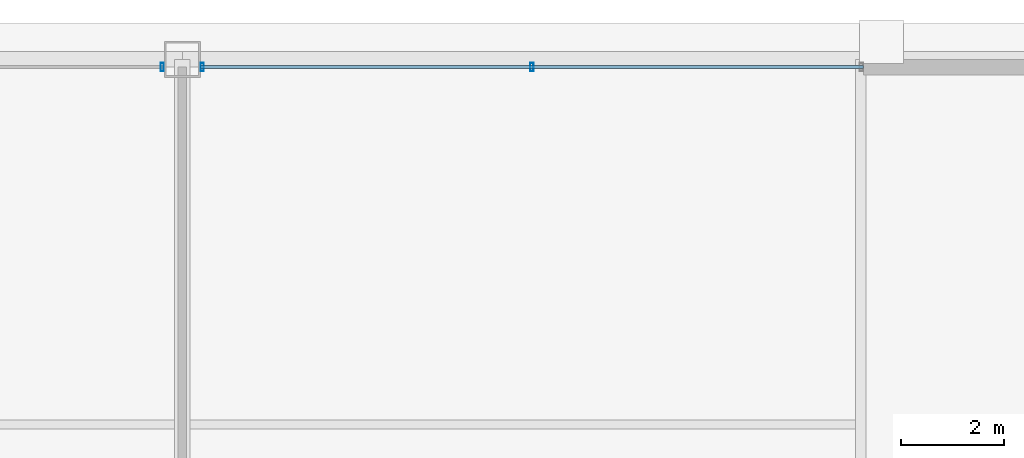
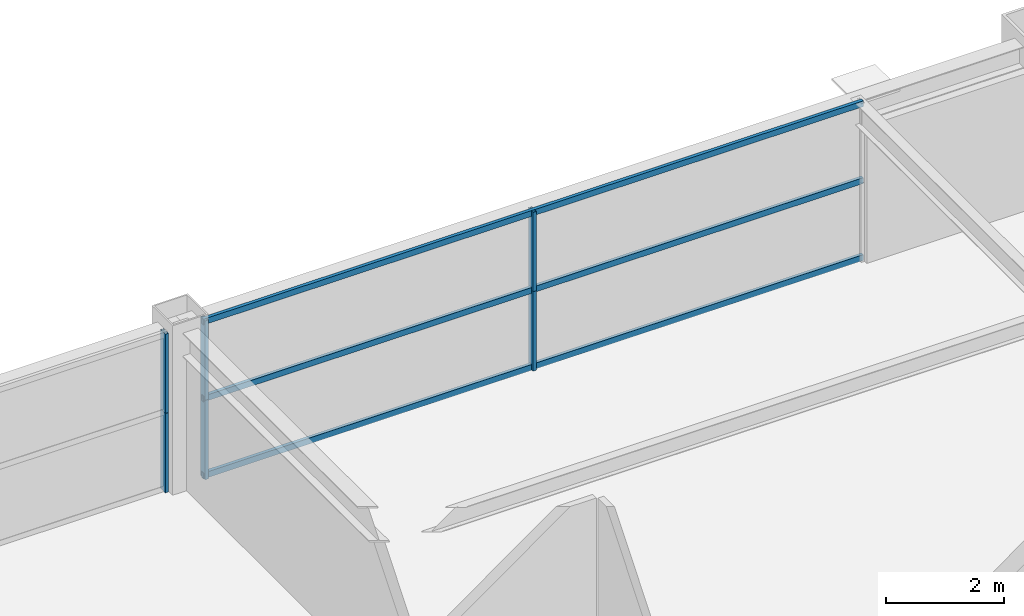
# One storey, part 29 of 37: 9 members, 2 elements without a shape of their own.
"""IFC4 building model written with IfcOpenShell, lengths in metres."""

import ifcopenshell
import ifcopenshell.guid

model = None  # the IFC model being written
_history = None  # IfcOwnerHistory: only IFC2X3 demands one
_inside = {}  # id of a spatial element -> (the spatial element, [elements in it])
_under = {}  # id of a project, library or spatial element -> (it, [spatial elements below it])
_declared = {}  # id of a project -> (the project, [libraries it declares])
_typed = {}  # id of a type object -> (the type object, [elements of that type])
_made_of = {}  # id of a material, layer set ... -> (it, [elements and type objects made of it])


def new_model(schema):
    """Start an empty IFC model of exactly this schema.

    Asked for "IFC4X3", IfcOpenShell would pick the latest addendum, in which some entities
    have other attributes; the version numbers below select the first issue.
    IFC2X3 requires an IfcOwnerHistory on every rooted entity: one is made here for all.
    """
    global model, _history
    if schema == "IFC4X3":
        model = ifcopenshell.file(schema_version=(4, 3, 0, 0))
    else:
        model = ifcopenshell.file(schema=schema)
    _inside.clear()
    _under.clear()
    _declared.clear()
    _typed.clear()
    _made_of.clear()
    _history = None
    if model.schema == "IFC2X3":
        org = make("IfcOrganization", Name="unknown")
        user = make(
            "IfcPersonAndOrganization",
            ThePerson=make("IfcPerson", FamilyName="unknown"),
            TheOrganization=org,
        )
        app = make(
            "IfcApplication",
            ApplicationDeveloper=org,
            Version="unknown",
            ApplicationFullName="unknown",
            ApplicationIdentifier="unknown",
        )
        _history = make(
            "IfcOwnerHistory",
            OwningUser=user,
            OwningApplication=app,
            ChangeAction="ADDED",
            CreationDate=0,
        )
    return model


def make(cls, **values):
    """One entity of the class cls with the attributes given. An attribute that is None is left unset."""
    return model.create_entity(
        cls, **{name: value for name, value in values.items() if value is not None}
    )


def rooted(cls, **values):
    """An entity with a GlobalId (a new one), such as an element, a storey or a relation."""
    return make(cls, GlobalId=ifcopenshell.guid.new(), OwnerHistory=_history, **values)


def si_unit(unit_type, name, prefix=None):
    """IfcSIUnit, for example si_unit("LENGTHUNIT", "METRE", prefix="MILLI")."""
    return make("IfcSIUnit", UnitType=unit_type, Prefix=prefix, Name=name)


def assignment(units):
    """IfcUnitAssignment: the units of a project."""
    return None if units is None else make("IfcUnitAssignment", Units=units)


def point(xyz):
    """IfcCartesianPoint."""
    return None if xyz is None else make("IfcCartesianPoint", Coordinates=xyz)


def direction(xyz):
    """IfcDirection."""
    return None if xyz is None else make("IfcDirection", DirectionRatios=xyz)


def frame(location, z_axis=None, x_axis=None):
    """IfcAxis2Placement3D, a coordinate frame: its origin and axes. An axis left out is left unset."""
    return make(
        "IfcAxis2Placement3D",
        Location=point(location),
        Axis=direction(z_axis),
        RefDirection=direction(x_axis),
    )


def frame_2d(location, x_axis=None):
    """IfcAxis2Placement2D, a coordinate frame in the plane: its origin and x axis."""
    return make(
        "IfcAxis2Placement2D", Location=point(location), RefDirection=direction(x_axis)
    )


def origin():
    """The frame at (0, 0, 0) with its axes left unset."""
    return frame((0.0, 0.0, 0.0))


def origin_2d():
    """The frame at (0, 0) in the plane with its x axis left unset."""
    return frame_2d((0.0, 0.0))


def place(relative_to, where):
    """IfcLocalPlacement: puts the frame where relative to a parent placement (None: the world)."""
    return make(
        "IfcLocalPlacement", PlacementRelTo=relative_to, RelativePlacement=where
    )


def context(
    kind, dimensions, precision=None, world=None, true_north=None, identifier=None
):
    """IfcGeometricRepresentationContext, for example the 3D "Model" context."""
    return make(
        "IfcGeometricRepresentationContext",
        ContextIdentifier=identifier,
        ContextType=kind,
        CoordinateSpaceDimension=dimensions,
        Precision=precision,
        WorldCoordinateSystem=world,
        TrueNorth=true_north,
    )


def subcontext(parent, identifier, kind, view, scale=None):
    """IfcGeometricRepresentationSubContext, for example "Body" below "Model"."""
    return make(
        "IfcGeometricRepresentationSubContext",
        ContextIdentifier=identifier,
        ContextType=kind,
        ParentContext=parent,
        TargetScale=scale,
        TargetView=view,
    )


def project(units=None, contexts=None):
    """IfcProject with its units and contexts."""
    return rooted(
        "IfcProject",
        Name="project",
        RepresentationContexts=contexts,
        UnitsInContext=assignment(units),
    )


def spatial(cls, under=None, at=None, **own):
    """A site, building, storey or space (cls), placed at a placement, below another one or the project."""
    s = rooted(cls, ObjectPlacement=at, **own)
    if under is not None:
        _under.setdefault(under.id(), (under, []))[1].append(s)
    return s


def profile(cls, at=None, kind="AREA", **sizes):
    """A parametric profile (cls). Its sizes go by their IFC names, for example OverallWidth=200.0."""
    return make(cls, ProfileType=kind, Position=at, **sizes)


def hollow_rectangle(**sizes):
    """IfcRectangleHollowProfileDef."""
    return profile("IfcRectangleHollowProfileDef", **sizes)


def extrude(swept, where, along, depth):
    """IfcExtrudedAreaSolid: the profile swept, set in the frame where, extruded along a direction by depth."""
    return make(
        "IfcExtrudedAreaSolid",
        SweptArea=swept,
        Position=where,
        ExtrudedDirection=direction(along),
        Depth=depth,
    )


def shape(context_of_items, identifier, shape_type, items):
    """IfcShapeRepresentation: the items that make up one representation, for example the "Body"."""
    return make(
        "IfcShapeRepresentation",
        ContextOfItems=context_of_items,
        RepresentationIdentifier=identifier,
        RepresentationType=shape_type,
        Items=items,
    )


def source(mapping_origin, context_of_items, identifier, shape_type, items):
    """IfcRepresentationMap: a shape defined once, which mapped items show again and again."""
    return make(
        "IfcRepresentationMap",
        MappingOrigin=mapping_origin,
        MappedRepresentation=shape(context_of_items, identifier, shape_type, items),
    )


def transform(
    local_origin,
    x_axis=None,
    y_axis=None,
    z_axis=None,
    scale=None,
    scale2=None,
    scale3=None,
    uniform=True,
):
    """IfcCartesianTransformationOperator3D, or its non-uniform kind. x_axis, y_axis, z_axis: its Axis1, 2, 3."""
    if uniform:
        return make(
            "IfcCartesianTransformationOperator3D",
            Axis1=direction(x_axis),
            Axis2=direction(y_axis),
            LocalOrigin=point(local_origin),
            Scale=scale,
            Axis3=direction(z_axis),
        )
    return make(
        "IfcCartesianTransformationOperator3DnonUniform",
        Axis1=direction(x_axis),
        Axis2=direction(y_axis),
        LocalOrigin=point(local_origin),
        Scale=scale,
        Axis3=direction(z_axis),
        Scale2=scale2,
        Scale3=scale3,
    )


def mapped(mapping_source, mapping_target):
    """IfcMappedItem: shows the shape of a source again, moved by a transform."""
    return make(
        "IfcMappedItem", MappingSource=mapping_source, MappingTarget=mapping_target
    )


def material(Name=None, Category=None):
    """IfcMaterial."""
    return make("IfcMaterial", Name=Name, Category=Category)


def layer(
    of_material, thickness, ventilated=None, Name=None, Category=None, Priority=None
):
    """IfcMaterialLayer: one layer of a wall or slab, of a material (None: an air gap)."""
    return make(
        "IfcMaterialLayer",
        Material=of_material,
        LayerThickness=thickness,
        IsVentilated=ventilated,
        Name=Name,
        Category=Category,
        Priority=Priority,
    )


def layer_set(layers, Name=None):
    """IfcMaterialLayerSet."""
    return make("IfcMaterialLayerSet", MaterialLayers=layers, LayerSetName=Name)


def material_profile(
    of_material, cross_section, Name=None, Category=None, Priority=None
):
    """IfcMaterialProfile: a cross section and its material."""
    return make(
        "IfcMaterialProfile",
        Name=Name,
        Material=of_material,
        Profile=cross_section,
        Priority=Priority,
        Category=Category,
    )


def profile_set(profiles, Name=None, composite=None):
    """IfcMaterialProfileSet."""
    return make(
        "IfcMaterialProfileSet",
        Name=Name,
        MaterialProfiles=profiles,
        CompositeProfile=composite,
    )


def made_of(thing, what):
    """Note that an element or type object is made of a material, layer set ...; save() writes the relation."""
    if what is not None:
        _made_of.setdefault(what.id(), (what, []))[1].append(thing)
    return thing


def type_object(cls, material=None, **own):
    """A type object (cls), such as IfcWallType, which elements share."""
    return made_of(rooted(cls, **own), material)


def element(
    cls,
    number,
    at=None,
    inside=None,
    cuts=None,
    type_object=None,
    material=None,
    context=None,
    identifier="Body",
    shape_type=None,
    held_by="IfcProductDefinitionShape",
    body=None,
    shapes=None,
    **own,
):
    """One element of the class cls, such as IfcWall. Its Tag is "e" and its number.

    at: its placement. inside: the storey or other place that contains it. cuts: it is an
    opening in that element (IfcRelVoidsElement). A single representation is given by context,
    identifier, shape_type and body (its items); several are given by shapes. held_by: the class
    of the entity that holds the representations. save() writes the other relations.
    """
    e = rooted(cls, Tag="e%d" % number, ObjectPlacement=at, **own)
    if body is not None:
        shapes = [shape(context, identifier, shape_type, body)]
    if shapes is not None:
        e.Representation = make(held_by, Representations=shapes)
    if inside is not None:
        _inside.setdefault(inside.id(), (inside, []))[1].append(e)
    if cuts is not None:
        rooted(
            "IfcRelVoidsElement", RelatingBuildingElement=cuts, RelatedOpeningElement=e
        )
    if type_object is not None:
        _typed.setdefault(type_object.id(), (type_object, []))[1].append(e)
    return made_of(e, material)


def aggregate(whole, parts):
    """IfcRelAggregates: a whole, such as a stair, and the parts it consists of."""
    return rooted("IfcRelAggregates", RelatingObject=whole, RelatedObjects=parts)


def save(model, path):
    """Write the relations noted so far, then the file.

    IfcRelAggregates (storeys below a building ...), IfcRelContainedInSpatialStructure (elements
    in a storey), IfcRelDefinesByType, IfcRelAssociatesMaterial and IfcRelDeclares: one each for
    every whole, place, type object, material and project.
    """
    for whole, parts in _under.values():
        aggregate(whole, parts)
    for where, things in _inside.values():
        rooted(
            "IfcRelContainedInSpatialStructure",
            RelatedElements=things,
            RelatingStructure=where,
        )
    for kind, things in _typed.values():
        rooted("IfcRelDefinesByType", RelatedObjects=things, RelatingType=kind)
    for what, things in _made_of.values():
        rooted("IfcRelAssociatesMaterial", RelatedObjects=things, RelatingMaterial=what)
    for by, libraries in _declared.values():
        rooted("IfcRelDeclares", RelatingContext=by, RelatedDefinitions=libraries)
    model.write(path)


model = new_model("IFC4")

# Units and contexts
model_context = context("Model", 3, precision=1e-05, world=origin(), true_north=direction((0.0, 1.0)))
body_context = subcontext(model_context, "Body", "Model", "MODEL_VIEW")
ifc_project = project(units=[si_unit("LENGTHUNIT", "METRE"), si_unit("AREAUNIT", "SQUARE_METRE"), si_unit("VOLUMEUNIT", "CUBIC_METRE"), si_unit("PLANEANGLEUNIT", "RADIAN"), si_unit("MASSUNIT", "GRAM", prefix="KILO"), si_unit("THERMODYNAMICTEMPERATUREUNIT", "KELVIN"), si_unit("POWERUNIT", "WATT")], contexts=[model_context])

# Site, building, storey
site_placement = place(None, origin())
site = spatial("IfcSite", under=ifc_project, at=site_placement, CompositionType="ELEMENT")
building_placement = place(site_placement, origin())
building = spatial("IfcBuilding", under=site, at=building_placement, Name="Yuzanri Waterfront Tower", CompositionType="ELEMENT")
storey_placement = place(building_placement, frame((0.0, 0.0, 275.10009765625)))
storey = spatial("IfcBuildingStorey", under=building, at=storey_placement, Name="L73", CompositionType="ELEMENT", Elevation=275.10009765625)

# Curtain wall, members
ifc_material_1 = material(Name="Anodized Architectural Bronze", Category="metal")
ifc_layer = layer(ifc_material_1, 0.159912109375)
ifc_layer_set = layer_set([ifc_layer], Name="Anodized Architectural Bronze")
curtain_wall_type = type_object("IfcCurtainWallType", Name="Anodized Bronze Mid-Rise Residential Acoustic Unitized Curtain Wall 7200", PredefinedType="NOTDEFINED", material=ifc_layer_set)
curtain_wall_1_placement = place(storey_placement, origin())
curtain_wall_1 = element("IfcCurtainWall", 1, at=curtain_wall_1_placement, inside=storey, type_object=curtain_wall_type, Name="L73 Curtain Wall CW-L73-NL", PredefinedType="NOTDEFINED")
ifc_material_2 = material(Name="Anodized Architectural Bronze", Category="metal")
ifc_material_profile_1 = material_profile(ifc_material_2, hollow_rectangle(XDim=0.06494140625, YDim=0.159912109375, WallThickness=0.00341796875, at=origin_2d()), Name="CWM 65x160")
ifc_profile_set_1 = profile_set([ifc_material_profile_1], Name="Anodized Architectural Bronze")
member_type_1 = type_object("IfcMemberType", Name="Anodized Bronze Upper-Zone Curtain-Wall Mullion 65x160", PredefinedType="MULLION", material=ifc_profile_set_1)
shared_shape_1 = source(origin(), body_context, "Body", "SweptSolid", [
    extrude(hollow_rectangle(XDim=0.06494140625, YDim=0.159912109375, WallThickness=0.00341796875, at=origin_2d()), origin(), (0.0, 0.0, 1.0), 1.637939453125),
])
member_1_placement = place(storey_placement, frame((36.610107421875, 46.25, 0.0), z_axis=(0.0, 0.0, 1.0), x_axis=(1.0, 0.0, 0.0)))
member_1 = element("IfcMember", 2, at=member_1_placement, type_object=member_type_1, Name="CW-L73-NL Lower Mullion 02", PredefinedType="MULLION", context=body_context, shape_type="MappedRepresentation", body=[
    mapped(shared_shape_1, transform((0.0, 0.0, 0.0), scale=1.0)),
])
member_2_placement = place(storey_placement, frame((36.610107421875, 46.25, 1.641845703125), z_axis=(0.0, 0.0, 1.0), x_axis=(1.0, 0.0, 0.0)))
member_2 = element("IfcMember", 3, at=member_2_placement, type_object=member_type_1, Name="CW-L73-NL Upper Mullion 02", PredefinedType="MULLION", context=body_context, shape_type="MappedRepresentation", body=[
    mapped(shared_shape_1, transform((0.0, 0.0, 0.0), scale=1.0)),
])
aggregate(curtain_wall_1, [member_1, member_2])

curtain_wall_2_placement = place(storey_placement, origin())
curtain_wall_2 = element("IfcCurtainWall", 4, at=curtain_wall_2_placement, inside=storey, type_object=curtain_wall_type, Name="L73 Curtain Wall CW-L73-NR", PredefinedType="NOTDEFINED")
member_3_placement = place(storey_placement, frame((37.389892578125, 46.25, 0.0), z_axis=(0.0, 0.0, 1.0), x_axis=(1.0, 0.0, 0.0)))
member_3 = element("IfcMember", 5, at=member_3_placement, type_object=member_type_1, Name="CW-L73-NR Lower Mullion 00", PredefinedType="MULLION", context=body_context, shape_type="MappedRepresentation", body=[
    mapped(shared_shape_1, transform((0.0, 0.0, 0.0), scale=1.0)),
])
member_4_placement = place(storey_placement, frame((37.389892578125, 46.25, 1.641845703125), z_axis=(0.0, 0.0, 1.0), x_axis=(1.0, 0.0, 0.0)))
member_4 = element("IfcMember", 6, at=member_4_placement, type_object=member_type_1, Name="CW-L73-NR Upper Mullion 00", PredefinedType="MULLION", context=body_context, shape_type="MappedRepresentation", body=[
    mapped(shared_shape_1, transform((0.0, 0.0, 0.0), scale=1.0)),
])
member_5_placement = place(storey_placement, frame((43.800048828125, 46.25, 0.0), z_axis=(0.0, 0.0, 1.0), x_axis=(1.0, 0.0, 0.0)))
member_5 = element("IfcMember", 7, at=member_5_placement, type_object=member_type_1, Name="CW-L73-NR Lower Mullion 01", PredefinedType="MULLION", context=body_context, shape_type="MappedRepresentation", body=[
    mapped(shared_shape_1, transform((0.0, 0.0, 0.0), scale=1.0)),
])
member_6_placement = place(storey_placement, frame((43.800048828125, 46.25, 1.641845703125), z_axis=(0.0, 0.0, 1.0), x_axis=(1.0, 0.0, 0.0)))
member_6 = element("IfcMember", 8, at=member_6_placement, type_object=member_type_1, Name="CW-L73-NR Upper Mullion 01", PredefinedType="MULLION", context=body_context, shape_type="MappedRepresentation", body=[
    mapped(shared_shape_1, transform((0.0, 0.0, 0.0), scale=1.0)),
])
ifc_material_3 = material(Name="Anodized Architectural Bronze", Category="metal")
ifc_material_profile_2 = material_profile(ifc_material_3, hollow_rectangle(XDim=0.06494140625, YDim=0.1201171875, WallThickness=0.00341796875, at=origin_2d()), Name="CWT 65x120")
ifc_profile_set_2 = profile_set([ifc_material_profile_2], Name="Anodized Architectural Bronze")
member_type_2 = type_object("IfcMemberType", Name="Anodized Bronze Secondary Curtain-Wall Transom 65x120", PredefinedType="USERDEFINED", material=ifc_profile_set_2)
shared_shape_2 = source(origin(), body_context, "Body", "SweptSolid", [
    extrude(hollow_rectangle(XDim=0.06494140625, YDim=0.1201171875, WallThickness=0.00341796875, at=origin_2d()), origin(), (0.0, 0.0, 1.0), 12.89990234375),
])
member_7_placement = place(storey_placement, frame((37.35009765625, 46.25, 0.0498046875), z_axis=(1.0, 0.0, 0.0), x_axis=(0.0, 1.0, 0.0)))
member_7 = element("IfcMember", 9, at=member_7_placement, type_object=member_type_2, Name="CW-L73-NR Transom 1", ObjectType="TRANSOM", PredefinedType="USERDEFINED", context=body_context, shape_type="MappedRepresentation", body=[
    mapped(shared_shape_2, transform((0.0, 0.0, 0.0), scale=1.0)),
])
member_8_placement = place(storey_placement, frame((37.35009765625, 46.25, 1.639892578125), z_axis=(1.0, 0.0, 0.0), x_axis=(0.0, 1.0, 0.0)))
member_8 = element("IfcMember", 10, at=member_8_placement, type_object=member_type_2, Name="CW-L73-NR Transom 2", ObjectType="TRANSOM", PredefinedType="USERDEFINED", context=body_context, shape_type="MappedRepresentation", body=[
    mapped(shared_shape_2, transform((0.0, 0.0, 0.0), scale=1.0)),
])
member_9_placement = place(storey_placement, frame((37.35009765625, 46.25, 3.22998046875), z_axis=(1.0, 0.0, 0.0), x_axis=(0.0, 1.0, 0.0)))
member_9 = element("IfcMember", 11, at=member_9_placement, type_object=member_type_2, Name="CW-L73-NR Transom 3", ObjectType="TRANSOM", PredefinedType="USERDEFINED", context=body_context, shape_type="MappedRepresentation", body=[
    mapped(shared_shape_2, transform((0.0, 0.0, 0.0), scale=1.0)),
])
aggregate(curtain_wall_2, [member_3, member_4, member_5, member_6, member_7, member_8, member_9])

save(model, "model.ifc")
